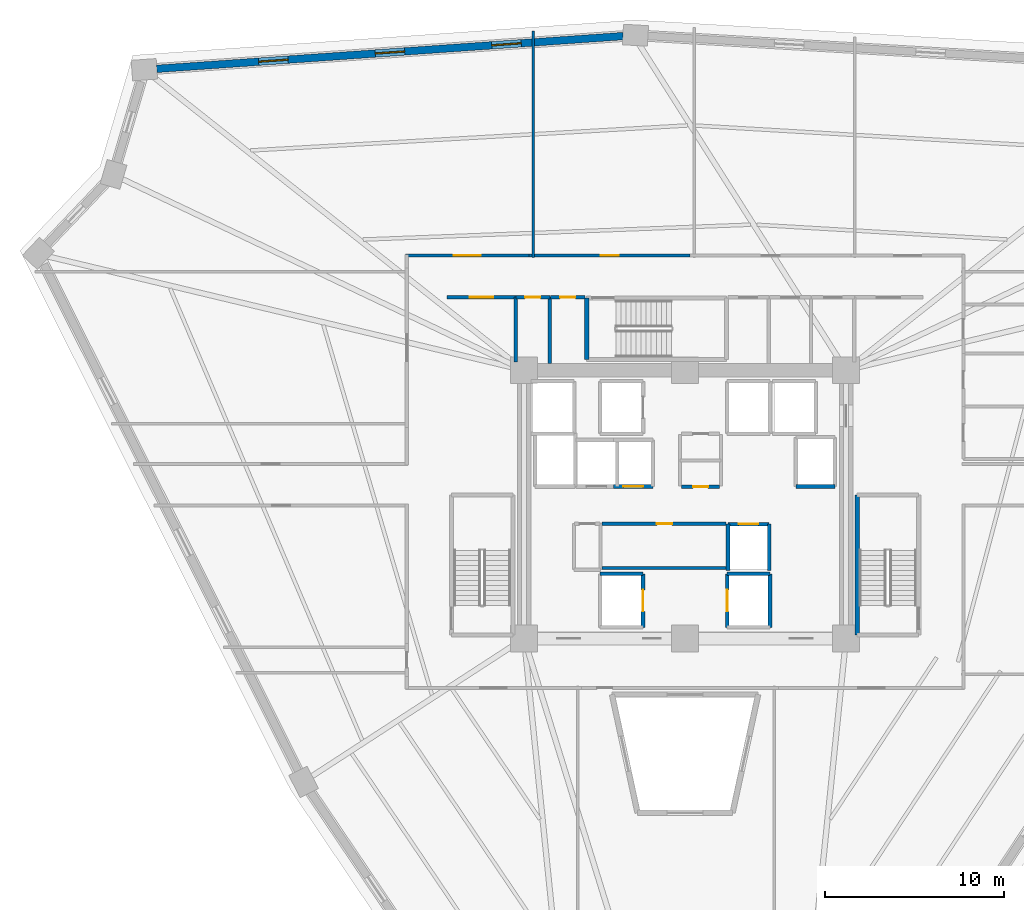
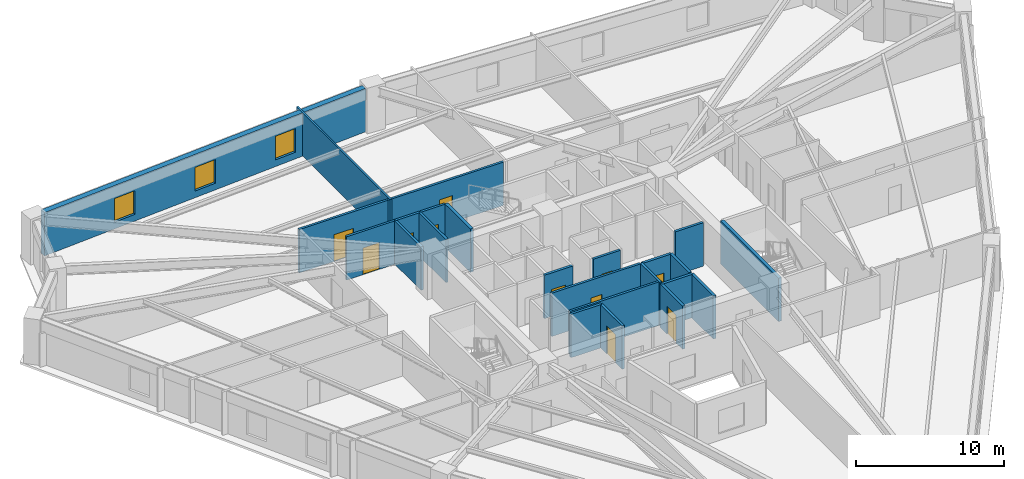
# One storey, part 5 of 9: 24 walls, 11 doors, 3 windows, 14 openings.
"""IFC4 building model written with IfcOpenShell, lengths in metres."""

from ifc_helpers import new_model, si_unit, direction, frame, frame_2d, origin, place, context, subcontext, project, spatial, rectangle, extrude, source, transform, mapped, material, layer, layer_set, type_object, element, fill, save


model = new_model("IFC4")

# Units and contexts
model_context = context("Model", 3, precision=1e-05, world=origin(), true_north=direction((0.0, 1.0)))
body_context = subcontext(model_context, "Body", "Model", "MODEL_VIEW")
ifc_project = project(units=[si_unit("LENGTHUNIT", "METRE"), si_unit("AREAUNIT", "SQUARE_METRE"), si_unit("VOLUMEUNIT", "CUBIC_METRE"), si_unit("PLANEANGLEUNIT", "RADIAN"), si_unit("MASSUNIT", "GRAM", prefix="KILO")], contexts=[model_context])

# Site, building, storey
site_placement = place(None, origin())
site = spatial("IfcSite", under=ifc_project, at=site_placement, CompositionType="ELEMENT")
building_placement = place(site_placement, origin())
building = spatial("IfcBuilding", under=site, at=building_placement, Name="Liaohun Quay Tower", CompositionType="ELEMENT")
storey_placement = place(building_placement, frame((0.0, 0.0, 132.0)))
storey = spatial("IfcBuildingStorey", under=building, at=storey_placement, Name="L34", CompositionType="ELEMENT", Elevation=132.0)

# Wall, openings, windows
ifc_material_1 = material(Name="Precast concrete C50 insulated sandwich", Category="concrete")
ifc_layer_1 = layer(ifc_material_1, 0.419921875, Name="Precast concrete C50 insulated sandwich", Category="concrete")
ifc_layer_set_1 = layer_set([ifc_layer_1], Name="Precast concrete C50 insulated sandwich")
wall_type_1 = type_object("IfcWallType", Name="WAL-EXT-Z12", PredefinedType="SOLIDWALL", material=ifc_layer_set_1)
wall_1_placement = place(storey_placement, frame((56.5380859375, 80.177978515625, 0.0), z_axis=(0.0, 0.0, 1.0), x_axis=(-0.997543510354, -0.070049589226, 0.0)))
wall_1 = element("IfcWall", 1, at=wall_1_placement, inside=storey, type_object=wall_type_1, Name="L34 Brutalist Precast Pier Wall 07", PredefinedType="SOLIDWALL", context=body_context, shape_type="SweptSolid", body=[
    extrude(rectangle(XDim=26.139404296875, YDim=0.419921875, at=frame_2d((13.06982421875, 0.0))), origin(), (0.0, 0.0, 1.0), 3.570068359375),
])
shared_shape_1 = source(origin(), body_context, "Body", "SweptSolid", [
    extrude(rectangle(XDim=1.64990234375, YDim=1.949951171875, at=frame_2d((0.824951171875, 0.97509765625))), frame((0.0, 0.219970703125, 0.0), z_axis=(0.0, -1.0, 0.0), x_axis=(1.0, 0.0, 0.0)), (0.0, 0.0, 1.0), 0.43994140625),
])
opening_1_placement = place(wall_1_placement, frame((5.7099609375, 0.0, 0.550048828125)))
opening_1 = element("IfcOpeningElement", 2, at=opening_1_placement, cuts=wall_1, Name="Opening W02", PredefinedType="OPENING", context=body_context, shape_type="MappedRepresentation", body=[
    mapped(shared_shape_1, transform((0.0, 0.0, 0.0), x_axis=(1.0, 0.0, 0.0), y_axis=(0.0, 1.0, 0.0), z_axis=(0.0, 0.0, 1.0), scale=1.0)),
])
opening_2_placement = place(wall_1_placement, frame((12.2451171875, 0.0, 0.550048828125)))
opening_2 = element("IfcOpeningElement", 3, at=opening_2_placement, cuts=wall_1, Name="Opening W02", PredefinedType="OPENING", context=body_context, shape_type="MappedRepresentation", body=[
    mapped(shared_shape_1, transform((0.0, 0.0, 0.0), x_axis=(1.0, 0.0, 0.0), y_axis=(0.0, 1.0, 0.0), z_axis=(0.0, 0.0, 1.0), scale=1.0)),
])
opening_3_placement = place(wall_1_placement, frame((18.779052734375, 0.0, 0.550048828125)))
opening_3 = element("IfcOpeningElement", 4, at=opening_3_placement, cuts=wall_1, Name="Opening W02", PredefinedType="OPENING", context=body_context, shape_type="MappedRepresentation", body=[
    mapped(shared_shape_1, transform((0.0, 0.0, 0.0), x_axis=(1.0, 0.0, 0.0), y_axis=(0.0, 1.0, 0.0), z_axis=(0.0, 0.0, 1.0), scale=1.0)),
])
ifc_material_2 = material(Name="Triple Low-E argon glazing in thermally broken aluminium", Category="aluminium")
window_type = type_object("IfcWindowType", Name="WIN-PUN-Z2", PartitioningType="DOUBLE_PANEL_VERTICAL", PredefinedType="WINDOW", material=ifc_material_2)
shared_shape_2 = source(origin(), body_context, "Body", "SweptSolid", [
    extrude(rectangle(XDim=1.64990234375, YDim=1.949951171875, at=frame_2d((0.824951171875, 0.97509765625))), frame((0.0, 0.030029296875, 0.0), z_axis=(0.0, -1.0, 0.0), x_axis=(1.0, 0.0, 0.0)), (0.0, 0.0, 1.0), 0.06005859375),
])
window_1_placement = place(opening_1_placement, origin())
window_1 = element("IfcWindow", 5, at=window_1_placement, inside=storey, type_object=window_type, Name="L34 Recessed Cold-Climate Punched Window 07-1", OverallHeight=1.949951171875, OverallWidth=1.64990234375, PartitioningType="DOUBLE_PANEL_VERTICAL", PredefinedType="WINDOW", context=body_context, shape_type="MappedRepresentation", body=[
    mapped(shared_shape_2, transform((0.0, 0.0, 0.0), x_axis=(1.0, 0.0, 0.0), y_axis=(0.0, 1.0, 0.0), z_axis=(0.0, 0.0, 1.0), scale=1.0)),
])
fill(opening_1, window_1)
window_2_placement = place(opening_2_placement, origin())
window_2 = element("IfcWindow", 6, at=window_2_placement, inside=storey, type_object=window_type, Name="L34 Recessed Cold-Climate Punched Window 07-2", OverallHeight=1.949951171875, OverallWidth=1.64990234375, PartitioningType="DOUBLE_PANEL_VERTICAL", PredefinedType="WINDOW", context=body_context, shape_type="MappedRepresentation", body=[
    mapped(shared_shape_2, transform((0.0, 0.0, 0.0), x_axis=(1.0, 0.0, 0.0), y_axis=(0.0, 1.0, 0.0), z_axis=(0.0, 0.0, 1.0), scale=1.0)),
])
fill(opening_2, window_2)
window_3_placement = place(opening_3_placement, origin())
window_3 = element("IfcWindow", 7, at=window_3_placement, inside=storey, type_object=window_type, Name="L34 Recessed Cold-Climate Punched Window 07-3", OverallHeight=1.949951171875, OverallWidth=1.64990234375, PartitioningType="DOUBLE_PANEL_VERTICAL", PredefinedType="WINDOW", context=body_context, shape_type="MappedRepresentation", body=[
    mapped(shared_shape_2, transform((0.0, 0.0, 0.0), x_axis=(1.0, 0.0, 0.0), y_axis=(0.0, 1.0, 0.0), z_axis=(0.0, 0.0, 1.0), scale=1.0)),
])
fill(opening_3, window_3)

# Wall, opening, door
ifc_material_3 = material(Name="Autoclaved aerated concrete blockwork", Category="masonry")
ifc_layer_2 = layer(ifc_material_3, 0.179931640625, Name="Autoclaved aerated concrete blockwork", Category="masonry")
ifc_layer_set_2 = layer_set([ifc_layer_2], Name="Autoclaved aerated concrete blockwork")
wall_type_2 = type_object("IfcWallType", Name="WAL-PRT-COR", PredefinedType="PARTITIONING", material=ifc_layer_set_2)
wall_2_placement = place(storey_placement, frame((55.3701171875, 52.919921875, 0.0), z_axis=(0.0, 0.0, 1.0), x_axis=(1.0, 0.0, 0.0)))
wall_2 = element("IfcWall", 8, at=wall_2_placement, inside=storey, type_object=wall_type_2, Name="L34 Interior Partition Wall 001", PredefinedType="PARTITIONING", context=body_context, shape_type="SweptSolid", body=[
    extrude(rectangle(XDim=6.929931640625, YDim=0.179931640625, at=frame_2d((3.46484375, 0.0))), origin(), (0.0, 0.0, 1.0), 3.570068359375),
])
shared_shape_3 = source(origin(), body_context, "Body", "SweptSolid", [
    extrude(rectangle(XDim=0.85009765625, YDim=2.10009765625, at=frame_2d((0.425048828125, 1.050048828125))), frame((0.0, 0.099853515625, 0.0), z_axis=(0.0, -1.0, 0.0), x_axis=(1.0, 0.0, 0.0)), (0.0, 0.0, 1.0), 0.199951171875),
])
opening_4_placement = place(wall_2_placement, frame((3.054931640625, 0.0, 0.0)))
opening_4 = element("IfcOpeningElement", 9, at=opening_4_placement, cuts=wall_2, Name="Opening AD1", PredefinedType="OPENING", context=body_context, shape_type="MappedRepresentation", body=[
    mapped(shared_shape_3, transform((0.0, 0.0, 0.0), x_axis=(1.0, 0.0, 0.0), y_axis=(0.0, 1.0, 0.0), z_axis=(0.0, 0.0, 1.0), scale=1.0)),
])
ifc_material_4 = material(Name="Steel riser inspection fire door", Category="steel")
door_type_1 = type_object("IfcDoorType", Name="DOR-SHF-850", OperationType="NOTDEFINED", PredefinedType="DOOR", material=ifc_material_4)
shared_shape_4 = source(origin(), body_context, "Body", "SweptSolid", [
    extrude(rectangle(XDim=0.85009765625, YDim=2.10009765625, at=frame_2d((0.425048828125, 1.050048828125))), frame((0.0, 0.02490234375, 0.0), z_axis=(0.0, -1.0, 0.0), x_axis=(1.0, 0.0, 0.0)), (0.0, 0.0, 1.0), 0.050048828125),
])
door_1_placement = place(opening_4_placement, origin())
door_1 = element("IfcDoor", 10, at=door_1_placement, inside=storey, type_object=door_type_1, Name="L34 Core Tenant Storage and Archive Room Door", OperationType="SINGLE_SWING_RIGHT", OverallHeight=2.10009765625, OverallWidth=0.85009765625, PredefinedType="DOOR", context=body_context, shape_type="MappedRepresentation", body=[
    mapped(shared_shape_4, transform((0.0, 0.0, 0.0), x_axis=(1.0, 0.0, 0.0), y_axis=(0.0, 1.0, 0.0), z_axis=(0.0, 0.0, 1.0), scale=1.0)),
])
fill(opening_4, door_1)

wall_3_placement = place(storey_placement, frame((59.81005859375, 54.97998046875, 0.0), z_axis=(0.0, 0.0, 1.0), x_axis=(1.0, 0.0, 0.0)))
wall_3 = element("IfcWall", 11, at=wall_3_placement, inside=storey, type_object=wall_type_2, Name="L34 Interior Partition Wall 002", PredefinedType="PARTITIONING", context=body_context, shape_type="SweptSolid", body=[
    extrude(rectangle(XDim=2.10986328125, YDim=0.179931640625, at=frame_2d((1.054931640625, 0.0))), origin(), (0.0, 0.0, 1.0), 3.570068359375),
])
opening_5_placement = place(wall_3_placement, frame((0.635009765625, 0.0, 0.0)))
opening_5 = element("IfcOpeningElement", 12, at=opening_5_placement, cuts=wall_3, Name="Opening AD1", PredefinedType="OPENING", context=body_context, shape_type="MappedRepresentation", body=[
    mapped(shared_shape_3, transform((0.0, 0.0, 0.0), x_axis=(1.0, 0.0, 0.0), y_axis=(0.0, 1.0, 0.0), z_axis=(0.0, 0.0, 1.0), scale=1.0)),
])
door_2_placement = place(opening_5_placement, origin())
door_2 = element("IfcDoor", 13, at=door_2_placement, inside=storey, type_object=door_type_1, Name="L34 Electrical Riser Room Door", OperationType="SINGLE_SWING_LEFT", OverallHeight=2.10009765625, OverallWidth=0.85009765625, PredefinedType="DOOR", context=body_context, shape_type="MappedRepresentation", body=[
    mapped(shared_shape_4, transform((0.0, 0.0, 0.0), x_axis=(1.0, 0.0, 0.0), y_axis=(0.0, 1.0, 0.0), z_axis=(0.0, 0.0, 1.0), scale=1.0)),
])
fill(opening_5, door_2)

wall_4_placement = place(storey_placement, frame((50.5400390625, 65.580078125, 0.0), z_axis=(0.0, 0.0, 1.0), x_axis=(1.0, 0.0, 0.0)))
wall_4 = element("IfcWall", 14, at=wall_4_placement, inside=storey, type_object=wall_type_2, Name="L34 Interior Partition Wall 008", PredefinedType="PARTITIONING", context=body_context, shape_type="SweptSolid", body=[
    extrude(rectangle(XDim=1.89990234375, YDim=0.179931640625, at=frame_2d((0.949951171875, 0.0))), origin(), (0.0, 0.0, 1.0), 3.570068359375),
])
opening_6_placement = place(wall_4_placement, frame((0.52490234375, 0.0, 0.0)))
opening_6 = element("IfcOpeningElement", 15, at=opening_6_placement, cuts=wall_4, Name="Opening AD1", PredefinedType="OPENING", context=body_context, shape_type="MappedRepresentation", body=[
    mapped(shared_shape_3, transform((0.0, 0.0, 0.0), x_axis=(1.0, 0.0, 0.0), y_axis=(0.0, 1.0, 0.0), z_axis=(0.0, 0.0, 1.0), scale=1.0)),
])
door_3_placement = place(opening_6_placement, origin())
door_3 = element("IfcDoor", 16, at=door_3_placement, inside=storey, type_object=door_type_1, Name="L34 North-West Riser Closet Door", OperationType="SINGLE_SWING_LEFT", OverallHeight=2.10009765625, OverallWidth=0.85009765625, PredefinedType="DOOR", context=body_context, shape_type="MappedRepresentation", body=[
    mapped(shared_shape_4, transform((0.0, 0.0, 0.0), x_axis=(1.0, 0.0, 0.0), y_axis=(0.0, 1.0, 0.0), z_axis=(0.0, 0.0, 1.0), scale=1.0)),
])
fill(opening_6, door_3)

wall_5_placement = place(storey_placement, frame((52.47998046875, 65.580078125, 0.0), z_axis=(0.0, 0.0, 1.0), x_axis=(1.0, 0.0, 0.0)))
wall_5 = element("IfcWall", 17, at=wall_5_placement, inside=storey, type_object=wall_type_2, Name="L34 Interior Partition Wall 009", PredefinedType="PARTITIONING", context=body_context, shape_type="SweptSolid", body=[
    extrude(rectangle(XDim=1.929931640625, YDim=0.179931640625, at=frame_2d((0.96484375, 0.0))), origin(), (0.0, 0.0, 1.0), 3.570068359375),
])
opening_7_placement = place(wall_5_placement, frame((0.5400390625, 0.0, 0.0)))
opening_7 = element("IfcOpeningElement", 18, at=opening_7_placement, cuts=wall_5, Name="Opening AD1", PredefinedType="OPENING", context=body_context, shape_type="MappedRepresentation", body=[
    mapped(shared_shape_3, transform((0.0, 0.0, 0.0), x_axis=(1.0, 0.0, 0.0), y_axis=(0.0, 1.0, 0.0), z_axis=(0.0, 0.0, 1.0), scale=1.0)),
])
door_4_placement = place(opening_7_placement, origin())
door_4 = element("IfcDoor", 19, at=door_4_placement, inside=storey, type_object=door_type_1, Name="L34 North-West Print Closet Door", OperationType="SINGLE_SWING_RIGHT", OverallHeight=2.10009765625, OverallWidth=0.85009765625, PredefinedType="DOOR", context=body_context, shape_type="MappedRepresentation", body=[
    mapped(shared_shape_4, transform((0.0, 0.0, 0.0), x_axis=(1.0, 0.0, 0.0), y_axis=(0.0, 1.0, 0.0), z_axis=(0.0, 0.0, 1.0), scale=1.0)),
])
fill(opening_7, door_4)

wall_6_placement = place(storey_placement, frame((46.699951171875, 65.580078125, 0.0), z_axis=(0.0, 0.0, 1.0), x_axis=(1.0, 0.0, 0.0)))
wall_6 = element("IfcWall", 20, at=wall_6_placement, inside=storey, type_object=wall_type_2, Name="L34 Interior Partition Wall 013", PredefinedType="PARTITIONING", context=body_context, shape_type="SweptSolid", body=[
    extrude(rectangle(XDim=3.840087890625, YDim=0.179931640625, at=frame_2d((1.919921875, 0.0))), origin(), (0.0, 0.0, 1.0), 3.570068359375),
])
shared_shape_5 = source(origin(), body_context, "Body", "SweptSolid", [
    extrude(rectangle(XDim=1.300048828125, YDim=2.199951171875, at=frame_2d((0.64990234375, 1.10009765625))), frame((0.0, 0.099853515625, 0.0), z_axis=(0.0, -1.0, 0.0), x_axis=(1.0, 0.0, 0.0)), (0.0, 0.0, 1.0), 0.199951171875),
])
opening_8_placement = place(wall_6_placement, frame((1.27001953125, 0.0, 0.0)))
opening_8 = element("IfcOpeningElement", 21, at=opening_8_placement, cuts=wall_6, Name="Opening FD1", PredefinedType="OPENING", context=body_context, shape_type="MappedRepresentation", body=[
    mapped(shared_shape_5, transform((0.0, 0.0, 0.0), x_axis=(1.0, 0.0, 0.0), y_axis=(0.0, 1.0, 0.0), z_axis=(0.0, 0.0, 1.0), scale=1.0)),
])
ifc_material_5 = material(Name="Galvanised steel smokeproof fire door", Category="steel")
door_type_2 = type_object("IfcDoorType", Name="DOR-FFL-1300", OperationType="NOTDEFINED", PredefinedType="DOOR", material=ifc_material_5)
shared_shape_6 = source(origin(), body_context, "Body", "SweptSolid", [
    extrude(rectangle(XDim=1.300048828125, YDim=2.199951171875, at=frame_2d((0.64990234375, 1.10009765625))), frame((0.0, 0.02490234375, 0.0), z_axis=(0.0, -1.0, 0.0), x_axis=(1.0, 0.0, 0.0)), (0.0, 0.0, 1.0), 0.050048828125),
])
door_5_placement = place(opening_8_placement, origin())
door_5 = element("IfcDoor", 22, at=door_5_placement, inside=storey, type_object=door_type_2, Name="L34 West Core Vestibule Door", OperationType="SINGLE_SWING_RIGHT", OverallHeight=2.199951171875, OverallWidth=1.300048828125, PredefinedType="DOOR", context=body_context, shape_type="MappedRepresentation", body=[
    mapped(shared_shape_6, transform((0.0, 0.0, 0.0), x_axis=(1.0, 0.0, 0.0), y_axis=(0.0, 1.0, 0.0), z_axis=(0.0, 0.0, 1.0), scale=1.0)),
])
fill(opening_8, door_5)

wall_7_placement = place(storey_placement, frame((51.284912109375, 67.909912109375, 0.0), z_axis=(0.0, 0.0, 1.0), x_axis=(1.0, 0.0, 0.0)))
wall_7 = element("IfcWall", 23, at=wall_7_placement, inside=storey, type_object=wall_type_2, Name="L34 Interior Partition Wall 018", PredefinedType="PARTITIONING", context=body_context, shape_type="SweptSolid", body=[
    extrude(rectangle(XDim=9.0, YDim=0.179931640625, at=frame_2d((4.5, 0.0))), origin(), (0.0, 0.0, 1.0), 3.570068359375),
])
shared_shape_7 = source(origin(), body_context, "Body", "SweptSolid", [
    extrude(rectangle(XDim=1.0, YDim=2.199951171875, at=frame_2d((0.5, 1.10009765625))), frame((0.0, 0.099853515625, 0.0), z_axis=(0.0, -1.0, 0.0), x_axis=(1.0, 0.0, 0.0)), (0.0, 0.0, 1.0), 0.199951171875),
])
opening_9_placement = place(wall_7_placement, frame((4.0, 0.0, 0.0)))
opening_9 = element("IfcOpeningElement", 24, at=opening_9_placement, cuts=wall_7, Name="Opening OD1", PredefinedType="OPENING", context=body_context, shape_type="MappedRepresentation", body=[
    mapped(shared_shape_7, transform((0.0, 0.0, 0.0), x_axis=(1.0, 0.0, 0.0), y_axis=(0.0, 1.0, 0.0), z_axis=(0.0, 0.0, 1.0), scale=1.0)),
])
ifc_material_6 = material(Name="Solid-core oak veneer timber leaf in steel frame", Category="steel")
door_type_3 = type_object("IfcDoorType", Name="DOR-OFF-1000", OperationType="NOTDEFINED", PredefinedType="DOOR", material=ifc_material_6)
shared_shape_8 = source(origin(), body_context, "Body", "SweptSolid", [
    extrude(rectangle(XDim=1.0, YDim=2.199951171875, at=frame_2d((0.5, 1.10009765625))), frame((0.0, 0.02490234375, 0.0), z_axis=(0.0, -1.0, 0.0), x_axis=(1.0, 0.0, 0.0)), (0.0, 0.0, 1.0), 0.050048828125),
])
door_6_placement = place(opening_9_placement, origin())
door_6 = element("IfcDoor", 25, at=door_6_placement, inside=storey, type_object=door_type_3, Name="L34 Project Collaboration Studio 04 Door", OperationType="SINGLE_SWING_LEFT", OverallHeight=2.199951171875, OverallWidth=1.0, PredefinedType="DOOR", context=body_context, shape_type="MappedRepresentation", body=[
    mapped(shared_shape_8, transform((0.0, 0.0, 0.0), x_axis=(1.0, 0.0, 0.0), y_axis=(0.0, 1.0, 0.0), z_axis=(0.0, 0.0, 1.0), scale=1.0)),
])
fill(opening_9, door_6)

wall_8_placement = place(storey_placement, frame((44.3701171875, 67.909912109375, 0.0), z_axis=(0.0, 0.0, 1.0), x_axis=(1.0, 0.0, 0.0)))
wall_8 = element("IfcWall", 26, at=wall_8_placement, inside=storey, type_object=wall_type_2, Name="L34 Interior Partition Wall 019", PredefinedType="PARTITIONING", context=body_context, shape_type="SweptSolid", body=[
    extrude(rectangle(XDim=6.914794921875, YDim=0.179931640625, at=frame_2d((3.45751953125, 0.0))), origin(), (0.0, 0.0, 1.0), 3.570068359375),
])
shared_shape_9 = source(origin(), body_context, "Body", "SweptSolid", [
    extrude(rectangle(XDim=1.5, YDim=2.199951171875, at=frame_2d((0.75, 1.10009765625))), frame((0.0, 0.099853515625, 0.0), z_axis=(0.0, -1.0, 0.0), x_axis=(1.0, 0.0, 0.0)), (0.0, 0.0, 1.0), 0.199951171875),
])
opening_10_placement = place(wall_8_placement, frame((2.70703125, 0.0, 0.0)))
opening_10 = element("IfcOpeningElement", 27, at=opening_10_placement, cuts=wall_8, Name="Opening OD2", PredefinedType="OPENING", context=body_context, shape_type="MappedRepresentation", body=[
    mapped(shared_shape_9, transform((0.0, 0.0, 0.0), x_axis=(1.0, 0.0, 0.0), y_axis=(0.0, 1.0, 0.0), z_axis=(0.0, 0.0, 1.0), scale=1.0)),
])
ifc_material_7 = material(Name="Acoustic oak veneer double door")
door_type_4 = type_object("IfcDoorType", Name="DOR-OFF-1500", OperationType="DOUBLE_DOOR_SINGLE_SWING", PredefinedType="DOOR", material=ifc_material_7)
shared_shape_10 = source(origin(), body_context, "Body", "SweptSolid", [
    extrude(rectangle(XDim=1.5, YDim=2.199951171875, at=frame_2d((0.75, 1.10009765625))), frame((0.0, 0.02490234375, 0.0), z_axis=(0.0, -1.0, 0.0), x_axis=(1.0, 0.0, 0.0)), (0.0, 0.0, 1.0), 0.050048828125),
])
door_7_placement = place(opening_10_placement, origin())
door_7 = element("IfcDoor", 28, at=door_7_placement, inside=storey, type_object=door_type_4, Name="L34 Digital Prototyping Laboratory 05 Door", OperationType="DOUBLE_DOOR_SINGLE_SWING", OverallHeight=2.199951171875, OverallWidth=1.5, PredefinedType="DOOR", context=body_context, shape_type="MappedRepresentation", body=[
    mapped(shared_shape_10, transform((0.0, 0.0, 0.0), x_axis=(1.0, 0.0, 0.0), y_axis=(0.0, 1.0, 0.0), z_axis=(0.0, 0.0, 1.0), scale=1.0)),
])
fill(opening_10, door_7)

# Walls
wall_9_placement = place(storey_placement, frame((50.5400390625, 61.949951171875, 0.0), z_axis=(0.0, 0.0, 1.0), x_axis=(0.0, 1.0, 0.0)))
element("IfcWall", 29, at=wall_9_placement, inside=storey, type_object=wall_type_2, Name="L34 Interior Partition Wall 039", PredefinedType="PARTITIONING", context=body_context, shape_type="SweptSolid", body=[
    extrude(rectangle(XDim=3.630126953125, YDim=0.179931640625, at=frame_2d((1.81494140625, 0.0))), origin(), (0.0, 0.0, 1.0), 3.570068359375),
])
wall_10_placement = place(storey_placement, frame((52.43994140625, 61.875, 0.0), z_axis=(0.0, 0.0, 1.0), x_axis=(0.0, 1.0, 0.0)))
element("IfcWall", 30, at=wall_10_placement, inside=storey, type_object=wall_type_2, Name="L34 Interior Partition Wall 040", PredefinedType="PARTITIONING", context=body_context, shape_type="SweptSolid", body=[
    extrude(rectangle(XDim=3.705078125, YDim=0.179931640625, at=frame_2d((1.8525390625, 0.0))), origin(), (0.0, 0.0, 1.0), 3.570068359375),
])
wall_11_placement = place(storey_placement, frame((55.3701171875, 50.449951171875, 0.0), z_axis=(0.0, 0.0, 1.0), x_axis=(1.0, 0.0, 0.0)))
element("IfcWall", 31, at=wall_11_placement, inside=storey, type_object=wall_type_2, Name="L34 Interior Partition Wall 063", PredefinedType="PARTITIONING", context=body_context, shape_type="SweptSolid", body=[
    extrude(rectangle(XDim=6.929931640625, YDim=0.179931640625, at=frame_2d((3.46484375, 0.0))), origin(), (0.0, 0.0, 1.0), 3.570068359375),
])
ifc_material_8 = material(Name="Gypsum board on twin steel studs", Category="steel")
ifc_layer_3 = layer(ifc_material_8, 0.139892578125, Name="Gypsum board on twin steel studs", Category="steel")
ifc_layer_set_3 = layer_set([ifc_layer_3], Name="Gypsum board on twin steel studs")
wall_type_3 = type_object("IfcWallType", Name="WAL-PRT-OFF", PredefinedType="PARTITIONING", material=ifc_layer_set_3)
wall_12_placement = place(storey_placement, frame((51.5, 67.81005859375, 0.0), z_axis=(0.0, 0.0, 1.0), x_axis=(0.0, 1.0, 0.0)))
element("IfcWall", 32, at=wall_12_placement, inside=storey, type_object=wall_type_3, Name="L34 Interior Partition Wall 058", PredefinedType="PARTITIONING", context=body_context, shape_type="SweptSolid", body=[
    extrude(rectangle(XDim=12.64599609375, YDim=0.139892578125, at=frame_2d((6.322998046875, 0.0))), origin(), (0.0, 0.0, 1.0), 3.570068359375),
])
ifc_material_9 = material(Name="Concrete C50", Category="concrete")
ifc_layer_4 = layer(ifc_material_9, 0.239990234375, Name="Concrete C50", Category="concrete")
ifc_layer_set_4 = layer_set([ifc_layer_4], Name="Concrete C50")
wall_type_4 = type_object("IfcWallType", Name="WAL-SHF-200", PredefinedType="SOLIDWALL", material=ifc_layer_set_4)
wall_13_placement = place(storey_placement, frame((69.6201171875, 54.52001953125, 0.0), z_axis=(0.0, 0.0, 1.0), x_axis=(0.0, -1.0, 0.0)))
element("IfcWall", 33, at=wall_13_placement, inside=storey, type_object=wall_type_4, Name="L34 Stairwell ST-2 Structural Core Wall W", PredefinedType="SOLIDWALL", context=body_context, shape_type="SweptSolid", body=[
    extrude(rectangle(XDim=7.820068359375, YDim=0.239990234375, at=frame_2d((3.91015625, 0.0))), origin(), (0.0, 0.0, 1.0), 3.570068359375),
])
wall_14_placement = place(storey_placement, frame((54.5, 65.5400390625, 0.0), z_axis=(0.0, 0.0, 1.0), x_axis=(0.0, -1.0, 0.0)))
element("IfcWall", 34, at=wall_14_placement, inside=storey, type_object=wall_type_4, Name="L34 Stairwell ST-3 Structural Core Wall W", PredefinedType="SOLIDWALL", context=body_context, shape_type="SweptSolid", body=[
    extrude(rectangle(XDim=3.43994140625, YDim=0.239990234375, at=frame_2d((1.719970703125, 0.0))), origin(), (0.0, 0.0, 1.0), 3.570068359375),
])

# Wall, opening, door
wall_15_placement = place(storey_placement, frame((57.64990234375, 47.1201171875, 0.0), z_axis=(0.0, 0.0, 1.0), x_axis=(0.0, 1.0, 0.0)))
wall_15 = element("IfcWall", 35, at=wall_15_placement, inside=storey, type_object=wall_type_4, Name="L34 Lift FF-01 Hoistway Wall E", PredefinedType="SOLIDWALL", context=body_context, shape_type="SweptSolid", body=[
    extrude(rectangle(XDim=3.0, YDim=0.199951171875, at=frame_2d((1.5, 0.0))), origin(), (0.0, 0.0, 1.0), 3.570068359375),
])
shared_shape_11 = source(origin(), body_context, "Body", "SweptSolid", [
    extrude(rectangle(XDim=1.199951171875, YDim=2.300048828125, at=frame_2d((0.60009765625, 1.14990234375))), frame((0.0, 0.10986328125, 0.0), z_axis=(0.0, -1.0, 0.0), x_axis=(1.0, 0.0, 0.0)), (0.0, 0.0, 1.0), 0.219970703125),
])
opening_11_placement = place(wall_15_placement, frame((0.89990234375, 0.0, 0.0)))
opening_11 = element("IfcOpeningElement", 36, at=opening_11_placement, cuts=wall_15, Name="Opening LD2", PredefinedType="OPENING", context=body_context, shape_type="MappedRepresentation", body=[
    mapped(shared_shape_11, transform((0.0, 0.0, 0.0), x_axis=(1.0, 0.0, 0.0), y_axis=(0.0, 1.0, 0.0), z_axis=(0.0, 0.0, 1.0), scale=1.0)),
])
ifc_material_10 = material(Name="Brushed stainless steel stretcher landing door", Category="steel")
door_type_5 = type_object("IfcDoorType", Name="DOR-LFT-1200", OperationType="SLIDING_TO_LEFT", PredefinedType="DOOR", material=ifc_material_10)
shared_shape_12 = source(origin(), body_context, "Body", "SweptSolid", [
    extrude(rectangle(XDim=1.199951171875, YDim=2.300048828125, at=frame_2d((0.60009765625, 1.14990234375))), frame((0.0, 0.02490234375, 0.0), z_axis=(0.0, -1.0, 0.0), x_axis=(1.0, 0.0, 0.0)), (0.0, 0.0, 1.0), 0.050048828125),
])
door_8_placement = place(opening_11_placement, origin())
door_8 = element("IfcDoor", 37, at=door_8_placement, inside=storey, type_object=door_type_5, Name="L34 Lift FF-01 Sliding Landing Door", OperationType="SLIDING_TO_LEFT", OverallHeight=2.300048828125, OverallWidth=1.199951171875, PredefinedType="DOOR", context=body_context, shape_type="MappedRepresentation", body=[
    mapped(shared_shape_12, transform((0.0, 0.0, 0.0), x_axis=(1.0, 0.0, 0.0), y_axis=(0.0, 1.0, 0.0), z_axis=(0.0, 0.0, 1.0), scale=1.0)),
])
fill(opening_11, door_8)

# Walls
wall_16_placement = place(storey_placement, frame((57.64990234375, 50.1201171875, 0.0), z_axis=(0.0, 0.0, 1.0), x_axis=(-1.0, 0.0, 0.0)))
element("IfcWall", 38, at=wall_16_placement, inside=storey, type_object=wall_type_4, Name="L34 Lift FF-01 Hoistway Wall N", PredefinedType="SOLIDWALL", context=body_context, shape_type="SweptSolid", body=[
    extrude(rectangle(XDim=2.39990234375, YDim=0.199951171875, at=frame_2d((1.199951171875, 0.0))), origin(), (0.0, 0.0, 1.0), 3.570068359375),
])
wall_17_placement = place(storey_placement, frame((64.75, 47.1201171875, 0.0), z_axis=(0.0, 0.0, 1.0), x_axis=(0.0, 1.0, 0.0)))
element("IfcWall", 39, at=wall_17_placement, inside=storey, type_object=wall_type_4, Name="L34 Lift FF-02 Hoistway Wall E", PredefinedType="SOLIDWALL", context=body_context, shape_type="SweptSolid", body=[
    extrude(rectangle(XDim=3.0, YDim=0.199951171875, at=frame_2d((1.5, 0.0))), origin(), (0.0, 0.0, 1.0), 3.570068359375),
])
wall_18_placement = place(storey_placement, frame((64.75, 50.1201171875, 0.0), z_axis=(0.0, 0.0, 1.0), x_axis=(-1.0, 0.0, 0.0)))
element("IfcWall", 40, at=wall_18_placement, inside=storey, type_object=wall_type_4, Name="L34 Lift FF-02 Hoistway Wall N", PredefinedType="SOLIDWALL", context=body_context, shape_type="SweptSolid", body=[
    extrude(rectangle(XDim=2.39990234375, YDim=0.199951171875, at=frame_2d((1.199951171875, 0.0))), origin(), (0.0, 0.0, 1.0), 3.570068359375),
])

# Wall, opening, door
wall_19_placement = place(storey_placement, frame((62.35009765625, 50.1201171875, 0.0), z_axis=(0.0, 0.0, 1.0), x_axis=(0.0, -1.0, 0.0)))
wall_19 = element("IfcWall", 41, at=wall_19_placement, inside=storey, type_object=wall_type_4, Name="L34 Lift FF-02 Hoistway Wall W", PredefinedType="SOLIDWALL", context=body_context, shape_type="SweptSolid", body=[
    extrude(rectangle(XDim=3.0, YDim=0.199951171875, at=frame_2d((1.5, 0.0))), origin(), (0.0, 0.0, 1.0), 3.570068359375),
])
opening_12_placement = place(wall_19_placement, frame((0.89990234375, 0.0, 0.0)))
opening_12 = element("IfcOpeningElement", 42, at=opening_12_placement, cuts=wall_19, Name="Opening LD2", PredefinedType="OPENING", context=body_context, shape_type="MappedRepresentation", body=[
    mapped(shared_shape_11, transform((0.0, 0.0, 0.0), x_axis=(1.0, 0.0, 0.0), y_axis=(0.0, 1.0, 0.0), z_axis=(0.0, 0.0, 1.0), scale=1.0)),
])
door_9_placement = place(opening_12_placement, origin())
door_9 = element("IfcDoor", 43, at=door_9_placement, inside=storey, type_object=door_type_5, Name="L34 Lift FF-02 Sliding Landing Door", OperationType="SLIDING_TO_LEFT", OverallHeight=2.300048828125, OverallWidth=1.199951171875, PredefinedType="DOOR", context=body_context, shape_type="MappedRepresentation", body=[
    mapped(shared_shape_12, transform((0.0, 0.0, 0.0), x_axis=(1.0, 0.0, 0.0), y_axis=(0.0, 1.0, 0.0), z_axis=(0.0, 0.0, 1.0), scale=1.0)),
])
fill(opening_12, door_9)

# Walls
wall_20_placement = place(storey_placement, frame((66.199951171875, 55.0, 0.0), z_axis=(0.0, 0.0, 1.0), x_axis=(1.0, 0.0, 0.0)))
element("IfcWall", 44, at=wall_20_placement, inside=storey, type_object=wall_type_4, Name="L34 Lift SH-03 Hoistway Wall S", PredefinedType="SOLIDWALL", context=body_context, shape_type="SweptSolid", body=[
    extrude(rectangle(XDim=2.179931640625, YDim=0.199951171875, at=frame_2d((1.08984375, 0.0))), origin(), (0.0, 0.0, 1.0), 3.570068359375),
])
wall_21_placement = place(storey_placement, frame((64.699951171875, 50.300048828125, 0.0), z_axis=(0.0, 0.0, 1.0), x_axis=(0.0, 1.0, 0.0)))
element("IfcWall", 45, at=wall_21_placement, inside=storey, type_object=wall_type_4, Name="L34 Lift PL-2A Hoistway Wall E", PredefinedType="SOLIDWALL", context=body_context, shape_type="SweptSolid", body=[
    extrude(rectangle(XDim=2.599853515625, YDim=0.199951171875, at=frame_2d((1.2998046875, 0.0))), origin(), (0.0, 0.0, 1.0), 3.570068359375),
])

# Wall, opening, door
wall_22_placement = place(storey_placement, frame((64.699951171875, 52.89990234375, 0.0), z_axis=(0.0, 0.0, 1.0), x_axis=(-1.0, 0.0, 0.0)))
wall_22 = element("IfcWall", 46, at=wall_22_placement, inside=storey, type_object=wall_type_4, Name="L34 Lift PL-2A Hoistway Wall N", PredefinedType="SOLIDWALL", context=body_context, shape_type="SweptSolid", body=[
    extrude(rectangle(XDim=2.300048828125, YDim=0.199951171875, at=frame_2d((1.14990234375, 0.0))), origin(), (0.0, 0.0, 1.0), 3.570068359375),
])
shared_shape_13 = source(origin(), body_context, "Body", "SweptSolid", [
    extrude(rectangle(XDim=1.10009765625, YDim=2.199951171875, at=frame_2d((0.550048828125, 1.10009765625))), frame((0.0, 0.10986328125, 0.0), z_axis=(0.0, -1.0, 0.0), x_axis=(1.0, 0.0, 0.0)), (0.0, 0.0, 1.0), 0.219970703125),
])
opening_13_placement = place(wall_22_placement, frame((0.60009765625, 0.0, 0.0)))
opening_13 = element("IfcOpeningElement", 47, at=opening_13_placement, cuts=wall_22, Name="Opening LD1", PredefinedType="OPENING", context=body_context, shape_type="MappedRepresentation", body=[
    mapped(shared_shape_13, transform((0.0, 0.0, 0.0), x_axis=(1.0, 0.0, 0.0), y_axis=(0.0, 1.0, 0.0), z_axis=(0.0, 0.0, 1.0), scale=1.0)),
])
ifc_material_11 = material(Name="Brushed stainless steel landing door", Category="steel")
door_type_6 = type_object("IfcDoorType", Name="DOR-LFT-1100", OperationType="SLIDING_TO_LEFT", PredefinedType="DOOR", material=ifc_material_11)
shared_shape_14 = source(origin(), body_context, "Body", "SweptSolid", [
    extrude(rectangle(XDim=1.10009765625, YDim=2.199951171875, at=frame_2d((0.550048828125, 1.10009765625))), frame((0.0, 0.02490234375, 0.0), z_axis=(0.0, -1.0, 0.0), x_axis=(1.0, 0.0, 0.0)), (0.0, 0.0, 1.0), 0.050048828125),
])
door_10_placement = place(opening_13_placement, origin())
door_10 = element("IfcDoor", 48, at=door_10_placement, inside=storey, type_object=door_type_6, Name="L34 Lift PL-2A Sliding Landing Door", OperationType="SLIDING_TO_LEFT", OverallHeight=2.199951171875, OverallWidth=1.10009765625, PredefinedType="DOOR", context=body_context, shape_type="MappedRepresentation", body=[
    mapped(shared_shape_14, transform((0.0, 0.0, 0.0), x_axis=(1.0, 0.0, 0.0), y_axis=(0.0, 1.0, 0.0), z_axis=(0.0, 0.0, 1.0), scale=1.0)),
])
fill(opening_13, door_10)

# Wall
wall_23_placement = place(storey_placement, frame((62.39990234375, 52.89990234375, 0.0), z_axis=(0.0, 0.0, 1.0), x_axis=(0.0, -1.0, 0.0)))
element("IfcWall", 49, at=wall_23_placement, inside=storey, type_object=wall_type_4, Name="L34 Lift PL-2A Hoistway Wall W", PredefinedType="SOLIDWALL", context=body_context, shape_type="SweptSolid", body=[
    extrude(rectangle(XDim=2.599853515625, YDim=0.199951171875, at=frame_2d((1.2998046875, 0.0))), origin(), (0.0, 0.0, 1.0), 3.570068359375),
])

# Wall, opening, door
wall_24_placement = place(storey_placement, frame((56.0, 55.0, 0.0), z_axis=(0.0, 0.0, 1.0), x_axis=(1.0, 0.0, 0.0)))
wall_24 = element("IfcWall", 50, at=wall_24_placement, inside=storey, type_object=wall_type_4, Name="L34 Lift PL-2C Hoistway Wall S", PredefinedType="SOLIDWALL", context=body_context, shape_type="SweptSolid", body=[
    extrude(rectangle(XDim=2.199951171875, YDim=0.199951171875, at=frame_2d((1.10009765625, 0.0))), origin(), (0.0, 0.0, 1.0), 3.570068359375),
])
opening_14_placement = place(wall_24_placement, frame((0.550048828125, 0.0, 0.0)))
opening_14 = element("IfcOpeningElement", 51, at=opening_14_placement, cuts=wall_24, Name="Opening LD1", PredefinedType="OPENING", context=body_context, shape_type="MappedRepresentation", body=[
    mapped(shared_shape_13, transform((0.0, 0.0, 0.0), x_axis=(1.0, 0.0, 0.0), y_axis=(0.0, 1.0, 0.0), z_axis=(0.0, 0.0, 1.0), scale=1.0)),
])
door_11_placement = place(opening_14_placement, origin())
door_11 = element("IfcDoor", 52, at=door_11_placement, inside=storey, type_object=door_type_6, Name="L34 Lift PL-2C Sliding Landing Door", OperationType="SLIDING_TO_LEFT", OverallHeight=2.199951171875, OverallWidth=1.10009765625, PredefinedType="DOOR", context=body_context, shape_type="MappedRepresentation", body=[
    mapped(shared_shape_14, transform((0.0, 0.0, 0.0), x_axis=(1.0, 0.0, 0.0), y_axis=(0.0, 1.0, 0.0), z_axis=(0.0, 0.0, 1.0), scale=1.0)),
])
fill(opening_14, door_11)

save(model, "model.ifc")
